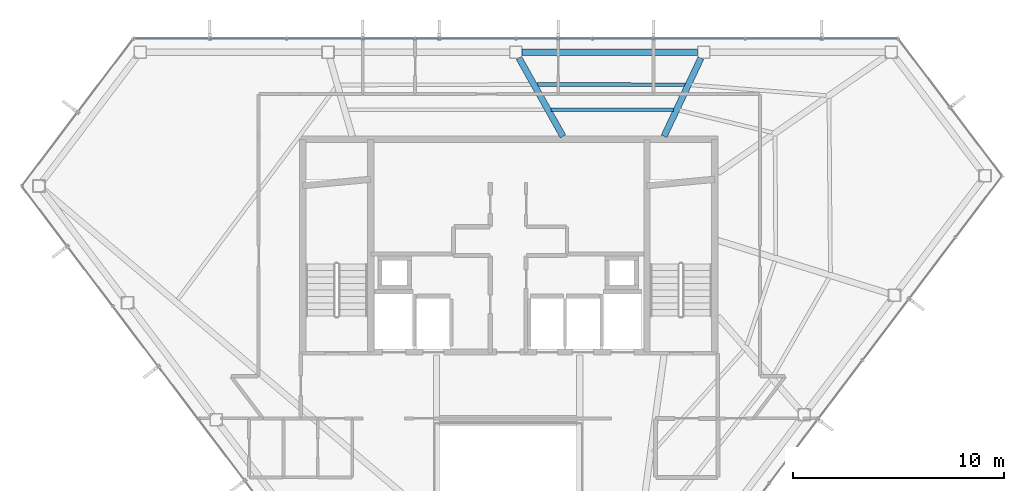
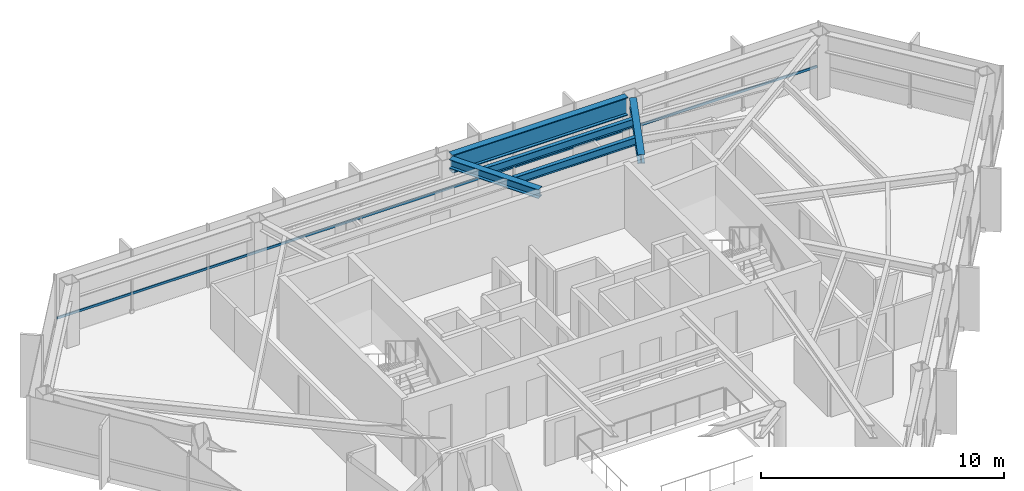
# One storey, part 15 of 27: 5 beams, 1 member, 1 element without a shape of its own.
"""IFC4 building model written with IfcOpenShell, lengths in metres."""

from ifc_helpers import new_model, si_unit, direction, frame, origin, origin_2d, place, context, subcontext, project, spatial, hollow_rectangle, i_section, extrude, material, layer, layer_set, material_profile, profile_set, type_object, element, aggregate, save


model = new_model("IFC4")

# Units and contexts
model_context = context("Model", 3, precision=1e-05, world=origin(), true_north=direction((0.0, 1.0)))
body_context = subcontext(model_context, "Body", "Model", "MODEL_VIEW")
ifc_project = project(units=[si_unit("LENGTHUNIT", "METRE"), si_unit("AREAUNIT", "SQUARE_METRE"), si_unit("VOLUMEUNIT", "CUBIC_METRE"), si_unit("PLANEANGLEUNIT", "RADIAN"), si_unit("MASSUNIT", "GRAM", prefix="KILO")], contexts=[model_context])

# Site, building, storey
site_placement = place(None, origin())
site = spatial("IfcSite", under=ifc_project, at=site_placement, CompositionType="ELEMENT")
building_placement = place(site_placement, origin())
building = spatial("IfcBuilding", under=site, at=building_placement, Name="Zarrinselat Tower", CompositionType="ELEMENT")
storey_placement = place(building_placement, frame((0.0, 0.0, 229.159912109375)))
storey = spatial("IfcBuildingStorey", under=building, at=storey_placement, Name="L57", CompositionType="ELEMENT", Elevation=229.159912109375)

# Beams
ifc_material_1 = material(Name="Steel S355J2", Category="steel")
ifc_material_profile_1 = material_profile(ifc_material_1, i_section(OverallWidth=0.300048828125, OverallDepth=0.449951171875, WebThickness=0.013916015625, FlangeThickness=0.02587890625, at=origin_2d()), Name="HEB 450")
ifc_profile_set_1 = profile_set([ifc_material_profile_1], Name="Steel S355J2")
beam_type_1 = type_object("IfcBeamType", Name="BM-HEB450", PredefinedType="BEAM", material=ifc_profile_set_1)
beam_1_placement = place(storey_placement, frame((45.800048828125, 43.5400390625, 2.955078125), z_axis=(0.425991754622, 0.904727044469, 0.0), x_axis=(-0.904727044469, 0.425991754622, 0.0)))
element("IfcBeam", 1, at=beam_1_placement, inside=storey, type_object=beam_type_1, Name="L57 Radial Primary Girder RG02", PredefinedType="BEAM", context=body_context, shape_type="SweptSolid", body=[
    extrude(i_section(OverallWidth=0.300048828125, OverallDepth=0.449951171875, WebThickness=0.013916015625, FlangeThickness=0.02587890625, at=origin_2d()), origin(), (0.0, 0.0, 1.0), 4.105712890625),
])
beam_2_placement = place(storey_placement, frame((38.9111328125, 47.264404296875, 2.955078125), z_axis=(0.489177785109, -0.872184094418, 0.0), x_axis=(0.872184094418, 0.489177785109, 0.0)))
element("IfcBeam", 2, at=beam_2_placement, inside=storey, type_object=beam_type_1, Name="L57 Radial Primary Girder RG03", PredefinedType="BEAM", context=body_context, shape_type="SweptSolid", body=[
    extrude(i_section(OverallWidth=0.300048828125, OverallDepth=0.449951171875, WebThickness=0.013916015625, FlangeThickness=0.02587890625, at=origin_2d()), origin(), (0.0, 0.0, 1.0), 4.270263671875),
])
ifc_material_2 = material(Name="Steel S460M", Category="steel")
ifc_material_profile_2 = material_profile(ifc_material_2, i_section(OverallWidth=0.302001953125, OverallDepth=0.909912109375, WebThickness=0.02099609375, FlangeThickness=0.0400390625, at=origin_2d()), Name="HEM 900")
ifc_profile_set_2 = profile_set([ifc_material_profile_2], Name="Steel S460M")
beam_type_2 = type_object("IfcBeamType", Name="BM-HEM900", PredefinedType="BEAM", material=ifc_profile_set_2)
beam_3_placement = place(storey_placement, frame((39.051513671875, 47.52783203125, 2.72509765625), z_axis=(1.0, 0.0, 0.0), x_axis=(0.0, 1.0, 0.0)))
element("IfcBeam", 3, at=beam_3_placement, inside=storey, type_object=beam_type_2, Name="L57 Perimeter Spandrel Girder SP02", PredefinedType="BEAM", context=body_context, shape_type="SweptSolid", body=[
    extrude(i_section(OverallWidth=0.302001953125, OverallDepth=0.909912109375, WebThickness=0.02099609375, FlangeThickness=0.0400390625, at=origin_2d()), origin(), (0.0, 0.0, 1.0), 8.33837890625),
])
ifc_material_3 = material(Name="Steel S355J2", Category="steel")
ifc_material_profile_3 = material_profile(ifc_material_3, i_section(OverallWidth=0.179931640625, OverallDepth=0.39990234375, WebThickness=0.008544921875, FlangeThickness=0.013427734375, at=origin_2d()), Name="IPE 400")
ifc_profile_set_3 = profile_set([ifc_material_profile_3], Name="Steel S355J2")
beam_type_3 = type_object("IfcBeamType", Name="BM-IPE400", PredefinedType="JOIST", material=ifc_profile_set_3)
beam_4_placement = place(storey_placement, frame((39.76123046875, 45.998046875, 2.97998046875), z_axis=(0.999999595031, -0.000899965021, 0.0), x_axis=(0.000899965021, 0.999999595031, 0.0)))
element("IfcBeam", 4, at=beam_4_placement, inside=storey, type_object=beam_type_3, Name="L57 Composite Floor Joist 7-1", PredefinedType="JOIST", context=body_context, shape_type="SweptSolid", body=[
    extrude(i_section(OverallWidth=0.179931640625, OverallDepth=0.39990234375, WebThickness=0.008544921875, FlangeThickness=0.013427734375, at=origin_2d()), origin(), (0.0, 0.0, 1.0), 7.05322265625),
])
beam_5_placement = place(storey_placement, frame((40.4296875, 44.80615234375, 2.97998046875), z_axis=(0.99999985156, -0.000544867684, 0.0), x_axis=(0.000544867684, 0.99999985156, 0.0)))
element("IfcBeam", 5, at=beam_5_placement, inside=storey, type_object=beam_type_3, Name="L57 Composite Floor Joist 7-2", PredefinedType="JOIST", context=body_context, shape_type="SweptSolid", body=[
    extrude(i_section(OverallWidth=0.179931640625, OverallDepth=0.39990234375, WebThickness=0.008544921875, FlangeThickness=0.013427734375, at=origin_2d()), origin(), (0.0, 0.0, 1.0), 5.824951171875),
])

# Curtain wall, member
ifc_material_4 = material(Name="Extruded Aluminium Alloy EN AW-6063 T6", Category="aluminium")
ifc_layer = layer(ifc_material_4, 0.169921875)
ifc_layer_set = layer_set([ifc_layer], Name="Extruded Aluminium Alloy EN AW-6063 T6")
curtain_wall_type = type_object("IfcCurtainWallType", Name="CWS-RES", PredefinedType="NOTDEFINED", material=ifc_layer_set)
curtain_wall_placement = place(storey_placement, origin())
curtain_wall = element("IfcCurtainWall", 6, at=curtain_wall_placement, inside=storey, type_object=curtain_wall_type, Name="L57 Unitised Curtain Wall CW-L57-E01", PredefinedType="NOTDEFINED")
ifc_material_5 = material(Name="Extruded Aluminium Alloy EN AW-6063 T6", Category="aluminium")
ifc_material_profile_4 = material_profile(ifc_material_5, hollow_rectangle(XDim=0.06005859375, YDim=0.1201171875, WallThickness=0.00390625, at=origin_2d()), Name="RHS 120x60x4")
ifc_profile_set_4 = profile_set([ifc_material_profile_4], Name="Extruded Aluminium Alloy EN AW-6063 T6")
member_type = type_object("IfcMemberType", Name="MEM-CW-TRN2", PredefinedType="USERDEFINED", material=ifc_profile_set_4)
member_placement = place(storey_placement, frame((56.8251953125, 48.177734375, 0.9501953125), z_axis=(-1.0, 0.0, 0.0), x_axis=(0.0, -1.0, 0.0)))
member = element("IfcMember", 7, at=member_placement, type_object=member_type, Name="CW-L57-E01 Transom 1", ObjectType="TRANSOM", PredefinedType="USERDEFINED", context=body_context, shape_type="SweptSolid", body=[
    extrude(hollow_rectangle(XDim=0.06005859375, YDim=0.1201171875, WallThickness=0.00390625, at=origin_2d()), origin(), (0.0, 0.0, 1.0), 36.123779296875),
])
aggregate(curtain_wall, [member])

save(model, "model.ifc")
